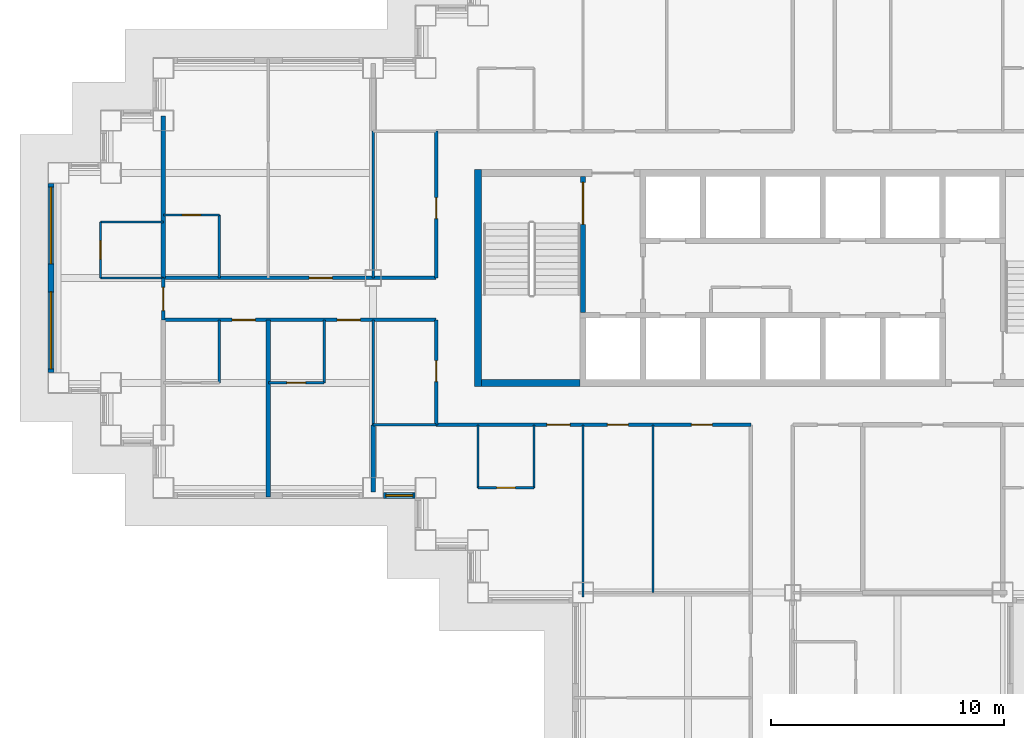
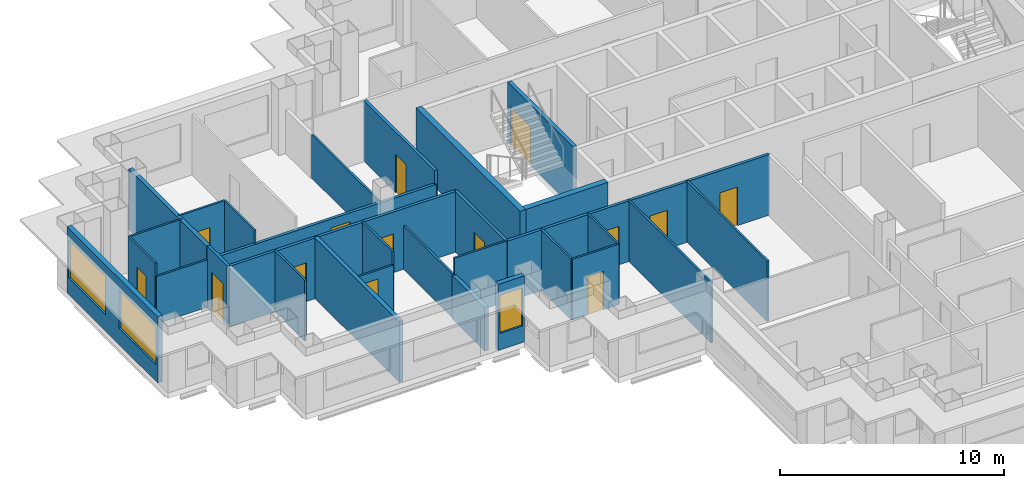
# One storey, part 4 of 15: 30 walls, 14 doors, 3 windows, 17 openings.
"""IFC4 building model written with IfcOpenShell, lengths in metres."""

import ifcopenshell
import ifcopenshell.guid

model = None  # the IFC model being written
_history = None  # IfcOwnerHistory: only IFC2X3 demands one
_inside = {}  # id of a spatial element -> (the spatial element, [elements in it])
_under = {}  # id of a project, library or spatial element -> (it, [spatial elements below it])
_declared = {}  # id of a project -> (the project, [libraries it declares])
_typed = {}  # id of a type object -> (the type object, [elements of that type])
_made_of = {}  # id of a material, layer set ... -> (it, [elements and type objects made of it])


def new_model(schema):
    """Start an empty IFC model of exactly this schema.

    Asked for "IFC4X3", IfcOpenShell would pick the latest addendum, in which some entities
    have other attributes; the version numbers below select the first issue.
    IFC2X3 requires an IfcOwnerHistory on every rooted entity: one is made here for all.
    """
    global model, _history
    if schema == "IFC4X3":
        model = ifcopenshell.file(schema_version=(4, 3, 0, 0))
    else:
        model = ifcopenshell.file(schema=schema)
    _inside.clear()
    _under.clear()
    _declared.clear()
    _typed.clear()
    _made_of.clear()
    _history = None
    if model.schema == "IFC2X3":
        org = make("IfcOrganization", Name="unknown")
        user = make(
            "IfcPersonAndOrganization",
            ThePerson=make("IfcPerson", FamilyName="unknown"),
            TheOrganization=org,
        )
        app = make(
            "IfcApplication",
            ApplicationDeveloper=org,
            Version="unknown",
            ApplicationFullName="unknown",
            ApplicationIdentifier="unknown",
        )
        _history = make(
            "IfcOwnerHistory",
            OwningUser=user,
            OwningApplication=app,
            ChangeAction="ADDED",
            CreationDate=0,
        )
    return model


def make(cls, **values):
    """One entity of the class cls with the attributes given. An attribute that is None is left unset."""
    return model.create_entity(
        cls, **{name: value for name, value in values.items() if value is not None}
    )


def rooted(cls, **values):
    """An entity with a GlobalId (a new one), such as an element, a storey or a relation."""
    return make(cls, GlobalId=ifcopenshell.guid.new(), OwnerHistory=_history, **values)


def si_unit(unit_type, name, prefix=None):
    """IfcSIUnit, for example si_unit("LENGTHUNIT", "METRE", prefix="MILLI")."""
    return make("IfcSIUnit", UnitType=unit_type, Prefix=prefix, Name=name)


def assignment(units):
    """IfcUnitAssignment: the units of a project."""
    return None if units is None else make("IfcUnitAssignment", Units=units)


def point(xyz):
    """IfcCartesianPoint."""
    return None if xyz is None else make("IfcCartesianPoint", Coordinates=xyz)


def direction(xyz):
    """IfcDirection."""
    return None if xyz is None else make("IfcDirection", DirectionRatios=xyz)


def frame(location, z_axis=None, x_axis=None):
    """IfcAxis2Placement3D, a coordinate frame: its origin and axes. An axis left out is left unset."""
    return make(
        "IfcAxis2Placement3D",
        Location=point(location),
        Axis=direction(z_axis),
        RefDirection=direction(x_axis),
    )


def frame_2d(location, x_axis=None):
    """IfcAxis2Placement2D, a coordinate frame in the plane: its origin and x axis."""
    return make(
        "IfcAxis2Placement2D", Location=point(location), RefDirection=direction(x_axis)
    )


def origin():
    """The frame at (0, 0, 0) with its axes left unset."""
    return frame((0.0, 0.0, 0.0))


def place(relative_to, where):
    """IfcLocalPlacement: puts the frame where relative to a parent placement (None: the world)."""
    return make(
        "IfcLocalPlacement", PlacementRelTo=relative_to, RelativePlacement=where
    )


def context(
    kind, dimensions, precision=None, world=None, true_north=None, identifier=None
):
    """IfcGeometricRepresentationContext, for example the 3D "Model" context."""
    return make(
        "IfcGeometricRepresentationContext",
        ContextIdentifier=identifier,
        ContextType=kind,
        CoordinateSpaceDimension=dimensions,
        Precision=precision,
        WorldCoordinateSystem=world,
        TrueNorth=true_north,
    )


def subcontext(parent, identifier, kind, view, scale=None):
    """IfcGeometricRepresentationSubContext, for example "Body" below "Model"."""
    return make(
        "IfcGeometricRepresentationSubContext",
        ContextIdentifier=identifier,
        ContextType=kind,
        ParentContext=parent,
        TargetScale=scale,
        TargetView=view,
    )


def project(units=None, contexts=None):
    """IfcProject with its units and contexts."""
    return rooted(
        "IfcProject",
        Name="project",
        RepresentationContexts=contexts,
        UnitsInContext=assignment(units),
    )


def spatial(cls, under=None, at=None, **own):
    """A site, building, storey or space (cls), placed at a placement, below another one or the project."""
    s = rooted(cls, ObjectPlacement=at, **own)
    if under is not None:
        _under.setdefault(under.id(), (under, []))[1].append(s)
    return s


def profile(cls, at=None, kind="AREA", **sizes):
    """A parametric profile (cls). Its sizes go by their IFC names, for example OverallWidth=200.0."""
    return make(cls, ProfileType=kind, Position=at, **sizes)


def rectangle(**sizes):
    """IfcRectangleProfileDef."""
    return profile("IfcRectangleProfileDef", **sizes)


def extrude(swept, where, along, depth):
    """IfcExtrudedAreaSolid: the profile swept, set in the frame where, extruded along a direction by depth."""
    return make(
        "IfcExtrudedAreaSolid",
        SweptArea=swept,
        Position=where,
        ExtrudedDirection=direction(along),
        Depth=depth,
    )


def shape(context_of_items, identifier, shape_type, items):
    """IfcShapeRepresentation: the items that make up one representation, for example the "Body"."""
    return make(
        "IfcShapeRepresentation",
        ContextOfItems=context_of_items,
        RepresentationIdentifier=identifier,
        RepresentationType=shape_type,
        Items=items,
    )


def material(Name=None, Category=None):
    """IfcMaterial."""
    return make("IfcMaterial", Name=Name, Category=Category)


def layer(
    of_material, thickness, ventilated=None, Name=None, Category=None, Priority=None
):
    """IfcMaterialLayer: one layer of a wall or slab, of a material (None: an air gap)."""
    return make(
        "IfcMaterialLayer",
        Material=of_material,
        LayerThickness=thickness,
        IsVentilated=ventilated,
        Name=Name,
        Category=Category,
        Priority=Priority,
    )


def layer_set(layers, Name=None):
    """IfcMaterialLayerSet."""
    return make("IfcMaterialLayerSet", MaterialLayers=layers, LayerSetName=Name)


def made_of(thing, what):
    """Note that an element or type object is made of a material, layer set ...; save() writes the relation."""
    if what is not None:
        _made_of.setdefault(what.id(), (what, []))[1].append(thing)
    return thing


def type_object(cls, material=None, **own):
    """A type object (cls), such as IfcWallType, which elements share."""
    return made_of(rooted(cls, **own), material)


def element(
    cls,
    number,
    at=None,
    inside=None,
    cuts=None,
    type_object=None,
    material=None,
    context=None,
    identifier="Body",
    shape_type=None,
    held_by="IfcProductDefinitionShape",
    body=None,
    shapes=None,
    **own,
):
    """One element of the class cls, such as IfcWall. Its Tag is "e" and its number.

    at: its placement. inside: the storey or other place that contains it. cuts: it is an
    opening in that element (IfcRelVoidsElement). A single representation is given by context,
    identifier, shape_type and body (its items); several are given by shapes. held_by: the class
    of the entity that holds the representations. save() writes the other relations.
    """
    e = rooted(cls, Tag="e%d" % number, ObjectPlacement=at, **own)
    if body is not None:
        shapes = [shape(context, identifier, shape_type, body)]
    if shapes is not None:
        e.Representation = make(held_by, Representations=shapes)
    if inside is not None:
        _inside.setdefault(inside.id(), (inside, []))[1].append(e)
    if cuts is not None:
        rooted(
            "IfcRelVoidsElement", RelatingBuildingElement=cuts, RelatedOpeningElement=e
        )
    if type_object is not None:
        _typed.setdefault(type_object.id(), (type_object, []))[1].append(e)
    return made_of(e, material)


def fill(opening, filler):
    """IfcRelFillsElement: the door or window that sits in an opening."""
    return rooted(
        "IfcRelFillsElement",
        RelatingOpeningElement=opening,
        RelatedBuildingElement=filler,
    )


def aggregate(whole, parts):
    """IfcRelAggregates: a whole, such as a stair, and the parts it consists of."""
    return rooted("IfcRelAggregates", RelatingObject=whole, RelatedObjects=parts)


def save(model, path):
    """Write the relations noted so far, then the file.

    IfcRelAggregates (storeys below a building ...), IfcRelContainedInSpatialStructure (elements
    in a storey), IfcRelDefinesByType, IfcRelAssociatesMaterial and IfcRelDeclares: one each for
    every whole, place, type object, material and project.
    """
    for whole, parts in _under.values():
        aggregate(whole, parts)
    for where, things in _inside.values():
        rooted(
            "IfcRelContainedInSpatialStructure",
            RelatedElements=things,
            RelatingStructure=where,
        )
    for kind, things in _typed.values():
        rooted("IfcRelDefinesByType", RelatedObjects=things, RelatingType=kind)
    for what, things in _made_of.values():
        rooted("IfcRelAssociatesMaterial", RelatedObjects=things, RelatingMaterial=what)
    for by, libraries in _declared.values():
        rooted("IfcRelDeclares", RelatingContext=by, RelatedDefinitions=libraries)
    model.write(path)


model = new_model("IFC4")

# Units and contexts
model_context = context("Model", 3, precision=1e-05, world=origin(), true_north=direction((0.0, 1.0)))
body_context = subcontext(model_context, "Body", "Model", "MODEL_VIEW")
ifc_project = project(units=[si_unit("LENGTHUNIT", "METRE"), si_unit("AREAUNIT", "SQUARE_METRE"), si_unit("VOLUMEUNIT", "CUBIC_METRE"), si_unit("PLANEANGLEUNIT", "RADIAN"), si_unit("MASSUNIT", "GRAM", prefix="KILO")], contexts=[model_context])

# Site, building, storey
site_placement = place(None, origin())
site = spatial("IfcSite", under=ifc_project, at=site_placement, CompositionType="ELEMENT")
building_placement = place(site_placement, origin())
building = spatial("IfcBuilding", under=site, at=building_placement, Name="Caravel Reach Hotel and Residences", CompositionType="ELEMENT")
storey_placement = place(building_placement, frame((0.0, 0.0, 108.0)))
storey = spatial("IfcBuildingStorey", under=building, at=storey_placement, Name="L26", CompositionType="ELEMENT", Elevation=108.0)

# Wall, opening, door
ifc_material_1 = material(Name="Gypsum board on steel stud", Category="steel")
ifc_layer_1 = layer(ifc_material_1, 0.10009765625)
ifc_layer_set_1 = layer_set([ifc_layer_1], Name="Bathroom pod wall 100 mm")
wall_type_1 = type_object("IfcWallType", Name="Bathroom pod wall 100 mm", PredefinedType="PARTITIONING", material=ifc_layer_set_1)
wall_1_placement = place(storey_placement, frame((18.0, 18.0, 0.0), z_axis=(0.0, 0.0, 1.0), x_axis=(1.0, 0.0, 0.0)))
wall_1 = element("IfcWall", 1, at=wall_1_placement, inside=storey, type_object=wall_type_1, Name="L26 wall w083", PredefinedType="PARTITIONING", context=body_context, shape_type="SweptSolid", body=[
    extrude(rectangle(XDim=2.39990234375, YDim=0.10009765625, at=frame_2d((1.199951171875, 0.0))), origin(), (0.0, 0.0, 1.0), 3.300048828125),
])
opening_1_placement = place(wall_1_placement, frame((0.800048828125, 0.0, 0.0)))
opening_1 = element("IfcOpeningElement", 2, at=opening_1_placement, cuts=wall_1, Name="Opening D26-050", PredefinedType="OPENING", context=body_context, shape_type="SweptSolid", body=[
    extrude(rectangle(XDim=0.800048828125, YDim=2.10009765625, at=frame_2d((0.39990234375, 1.050048828125))), frame((0.0, 0.06005859375, 0.0), z_axis=(0.0, -1.0, 0.0), x_axis=(1.0, 0.0, 0.0)), (0.0, 0.0, 1.0), 0.1201171875),
])
ifc_material_2 = material(Name="Timber and steel door leaf", Category="steel")
door_type_1 = type_object("IfcDoorType", Name="Bathroom door 800 x 2100", OperationType="SINGLE_SWING_LEFT", PredefinedType="DOOR", material=ifc_material_2)
door_1_placement = place(opening_1_placement, origin())
door_1 = element("IfcDoor", 3, at=door_1_placement, inside=storey, type_object=door_type_1, Name="door D26-050", OperationType="SINGLE_SWING_LEFT", OverallHeight=2.10009765625, OverallWidth=0.800048828125, PredefinedType="DOOR", context=body_context, shape_type="SweptSolid", body=[
    extrude(rectangle(XDim=0.800048828125, YDim=2.10009765625, at=frame_2d((0.39990234375, 1.050048828125))), frame((0.0, 0.02490234375, 0.0), z_axis=(0.0, -1.0, 0.0), x_axis=(1.0, 0.0, 0.0)), (0.0, 0.0, 1.0), 0.050048828125),
])
fill(opening_1, door_1)

wall_2_placement = place(storey_placement, frame((9.0, 22.5, 0.0), z_axis=(0.0, 0.0, 1.0), x_axis=(1.0, 0.0, 0.0)))
wall_2 = element("IfcWall", 4, at=wall_2_placement, inside=storey, type_object=wall_type_1, Name="L26 wall w085", PredefinedType="PARTITIONING", context=body_context, shape_type="SweptSolid", body=[
    extrude(rectangle(XDim=2.39990234375, YDim=0.10009765625, at=frame_2d((1.199951171875, 0.0))), origin(), (0.0, 0.0, 1.0), 2.580078125),
])
opening_2_placement = place(wall_2_placement, frame((0.800048828125, 0.0, 0.0)))
opening_2 = element("IfcOpeningElement", 5, at=opening_2_placement, cuts=wall_2, Name="Opening D26-016", PredefinedType="OPENING", context=body_context, shape_type="SweptSolid", body=[
    extrude(rectangle(XDim=0.800048828125, YDim=2.10009765625, at=frame_2d((0.39990234375, 1.050048828125))), frame((0.0, 0.06005859375, 0.0), z_axis=(0.0, -1.0, 0.0), x_axis=(1.0, 0.0, 0.0)), (0.0, 0.0, 1.0), 0.1201171875),
])
door_2_placement = place(opening_2_placement, origin())
door_2 = element("IfcDoor", 6, at=door_2_placement, inside=storey, type_object=door_type_1, Name="door D26-016", OperationType="SINGLE_SWING_RIGHT", OverallHeight=2.10009765625, OverallWidth=0.800048828125, PredefinedType="DOOR", context=body_context, shape_type="SweptSolid", body=[
    extrude(rectangle(XDim=0.800048828125, YDim=2.10009765625, at=frame_2d((0.39990234375, 1.050048828125))), frame((0.0, 0.02490234375, 0.0), z_axis=(0.0, -1.0, 0.0), x_axis=(1.0, 0.0, 0.0)), (0.0, 0.0, 1.0), 0.050048828125),
])
fill(opening_2, door_2)

# Walls
wall_3_placement = place(storey_placement, frame((1.800048828125, 27.0, 0.0), z_axis=(0.0, 0.0, 1.0), x_axis=(1.0, 0.0, 0.0)))
element("IfcWall", 7, at=wall_3_placement, inside=storey, type_object=wall_type_1, Name="L26 wall w088", PredefinedType="PARTITIONING", context=body_context, shape_type="SweptSolid", body=[
    extrude(rectangle(XDim=2.699951171875, YDim=0.10009765625, at=frame_2d((1.35009765625, 0.0))), origin(), (0.0, 0.0, 1.0), 2.580078125),
])
wall_4_placement = place(storey_placement, frame((1.800048828125, 29.39990234375, 0.0), z_axis=(0.0, 0.0, 1.0), x_axis=(1.0, 0.0, 0.0)))
element("IfcWall", 8, at=wall_4_placement, inside=storey, type_object=wall_type_1, Name="L26 wall w089", PredefinedType="PARTITIONING", context=body_context, shape_type="SweptSolid", body=[
    extrude(rectangle(XDim=2.699951171875, YDim=0.10009765625, at=frame_2d((1.35009765625, 0.0))), origin(), (0.0, 0.0, 1.0), 3.300048828125),
])

# Wall, opening, door
wall_5_placement = place(storey_placement, frame((4.5, 29.699951171875, 0.0), z_axis=(0.0, 0.0, 1.0), x_axis=(1.0, 0.0, 0.0)))
wall_5 = element("IfcWall", 9, at=wall_5_placement, inside=storey, type_object=wall_type_1, Name="L26 wall w090", PredefinedType="PARTITIONING", context=body_context, shape_type="SweptSolid", body=[
    extrude(rectangle(XDim=2.39990234375, YDim=0.10009765625, at=frame_2d((1.199951171875, 0.0))), origin(), (0.0, 0.0, 1.0), 3.300048828125),
])
opening_3_placement = place(wall_5_placement, frame((0.800048828125, 0.0, 0.0)))
opening_3 = element("IfcOpeningElement", 10, at=opening_3_placement, cuts=wall_5, Name="Opening D26-021", PredefinedType="OPENING", context=body_context, shape_type="SweptSolid", body=[
    extrude(rectangle(XDim=0.800048828125, YDim=2.10009765625, at=frame_2d((0.39990234375, 1.050048828125))), frame((0.0, 0.06005859375, 0.0), z_axis=(0.0, -1.0, 0.0), x_axis=(1.0, 0.0, 0.0)), (0.0, 0.0, 1.0), 0.1201171875),
])
door_3_placement = place(opening_3_placement, origin())
door_3 = element("IfcDoor", 11, at=door_3_placement, inside=storey, type_object=door_type_1, Name="door D26-021", OperationType="SINGLE_SWING_RIGHT", OverallHeight=2.10009765625, OverallWidth=0.800048828125, PredefinedType="DOOR", context=body_context, shape_type="SweptSolid", body=[
    extrude(rectangle(XDim=0.800048828125, YDim=2.10009765625, at=frame_2d((0.39990234375, 1.050048828125))), frame((0.0, 0.02490234375, 0.0), z_axis=(0.0, -1.0, 0.0), x_axis=(1.0, 0.0, 0.0)), (0.0, 0.0, 1.0), 0.050048828125),
])
fill(opening_3, door_3)

wall_6_placement = place(storey_placement, frame((1.800048828125, 27.0, 0.0), z_axis=(0.0, 0.0, 1.0), x_axis=(0.0, 1.0, 0.0)))
wall_6 = element("IfcWall", 12, at=wall_6_placement, inside=storey, type_object=wall_type_1, Name="L26 wall w098", PredefinedType="PARTITIONING", context=body_context, shape_type="SweptSolid", body=[
    extrude(rectangle(XDim=2.39990234375, YDim=0.10009765625, at=frame_2d((1.199951171875, 0.0))), origin(), (0.0, 0.0, 1.0), 3.300048828125),
])
opening_4_placement = place(wall_6_placement, frame((0.800048828125, 0.0, 0.0)))
opening_4 = element("IfcOpeningElement", 13, at=opening_4_placement, cuts=wall_6, Name="Opening D26-040", PredefinedType="OPENING", context=body_context, shape_type="SweptSolid", body=[
    extrude(rectangle(XDim=0.800048828125, YDim=2.10009765625, at=frame_2d((0.39990234375, 1.050048828125))), frame((0.0, 0.06005859375, 0.0), z_axis=(0.0, -1.0, 0.0), x_axis=(1.0, 0.0, 0.0)), (0.0, 0.0, 1.0), 0.1201171875),
])
door_4_placement = place(opening_4_placement, origin())
door_4 = element("IfcDoor", 14, at=door_4_placement, inside=storey, type_object=door_type_1, Name="door D26-040", OperationType="SINGLE_SWING_RIGHT", OverallHeight=2.10009765625, OverallWidth=0.800048828125, PredefinedType="DOOR", context=body_context, shape_type="SweptSolid", body=[
    extrude(rectangle(XDim=0.800048828125, YDim=2.10009765625, at=frame_2d((0.39990234375, 1.050048828125))), frame((0.0, 0.02490234375, 0.0), z_axis=(0.0, -1.0, 0.0), x_axis=(1.0, 0.0, 0.0)), (0.0, 0.0, 1.0), 0.050048828125),
])
fill(opening_4, door_4)

# Walls
for number, where, z_axis, x_axis, name in (
    (15, (11.39990234375, 22.5, 0.0), (0.0, 0.0, 1.0), (0.0, 1.0, 0.0), "L26 wall w099"),
    (16, (18.0, 18.0, 0.0), (0.0, 0.0, 1.0), (0.0, 1.0, 0.0), "L26 wall w101"),
    (17, (20.39990234375, 18.0, 0.0), (0.0, 0.0, 1.0), (0.0, 1.0, 0.0), "L26 wall w103"),
    (18, (6.89990234375, 22.5, 0.0), (0.0, 0.0, 1.0), (0.0, 1.0, 0.0), "L26 wall w115"),
    (19, (6.89990234375, 27.0, 0.0), (0.0, 0.0, 1.0), (0.0, 1.0, 0.0), "L26 wall w116"),
):
    element("IfcWall", number, at=place(storey_placement, frame(where, z_axis=z_axis, x_axis=x_axis)), inside=storey, type_object=wall_type_1, Name=name, PredefinedType="PARTITIONING", context=body_context, shape_type="SweptSolid", body=[
        extrude(rectangle(XDim=2.699951171875, YDim=0.10009765625, at=frame_2d((1.35009765625, 0.0))), origin(), (0.0, 0.0, 1.0), 3.300048828125),
    ])
ifc_material_3 = material(Name="Concrete C60", Category="concrete")
ifc_layer_2 = layer(ifc_material_3, 0.300048828125)
ifc_layer_set_2 = layer_set([ifc_layer_2], Name="Core wall 300 mm EI 120")
wall_type_2 = type_object("IfcWallType", Name="Core wall 300 mm EI 120", PredefinedType="SHEAR", material=ifc_layer_set_2)
wall_7_placement = place(storey_placement, frame((18.14990234375, 22.5, 0.0), z_axis=(0.0, 0.0, 1.0), x_axis=(1.0, 0.0, 0.0)))
element("IfcWall", 20, at=wall_7_placement, inside=storey, type_object=wall_type_2, Name="L26 core wall S1", PredefinedType="SHEAR", context=body_context, shape_type="SweptSolid", body=[
    extrude(rectangle(XDim=4.22509765625, YDim=0.300048828125, at=frame_2d((2.112548828125, 0.0))), origin(), (0.0, 0.0, 1.0), 3.300048828125),
])
wall_8_placement = place(storey_placement, frame((18.0, 22.35009765625, 0.0), z_axis=(0.0, 0.0, 1.0), x_axis=(0.0, 1.0, 0.0)))
element("IfcWall", 21, at=wall_8_placement, inside=storey, type_object=wall_type_2, Name="L26 core wall W", PredefinedType="SHEAR", context=body_context, shape_type="SweptSolid", body=[
    extrude(rectangle(XDim=9.2998046875, YDim=0.300048828125, at=frame_2d((4.64990234375, 0.0))), origin(), (0.0, 0.0, 1.0), 3.300048828125),
])

# Wall, openings, doors
ifc_material_4 = material(Name="Gypsum board on steel stud, fire-rated", Category="steel")
ifc_layer_3 = layer(ifc_material_4, 0.14990234375)
ifc_layer_set_3 = layer_set([ifc_layer_3], Name="Corridor wall 150 mm EI 60")
wall_type_3 = type_object("IfcWallType", Name="Corridor wall 150 mm EI 60", PredefinedType="PARTITIONING", material=ifc_layer_set_3)
wall_9_placement = place(storey_placement, frame((16.199951171875, 20.699951171875, 0.0), z_axis=(0.0, 0.0, 1.0), x_axis=(1.0, 0.0, 0.0)))
wall_9 = element("IfcWall", 22, at=wall_9_placement, inside=storey, type_object=wall_type_3, Name="L26 wall w001", PredefinedType="PARTITIONING", context=body_context, shape_type="SweptSolid", body=[
    extrude(rectangle(XDim=13.5, YDim=0.14990234375, at=frame_2d((6.75, 0.0))), origin(), (0.0, 0.0, 1.0), 3.300048828125),
])
opening_5_placement = place(wall_9_placement, frame((4.75, 0.0, 0.0)))
opening_5 = element("IfcOpeningElement", 23, at=opening_5_placement, cuts=wall_9, Name="Opening D26-049", PredefinedType="OPENING", context=body_context, shape_type="SweptSolid", body=[
    extrude(rectangle(XDim=1.0, YDim=2.10009765625, at=frame_2d((0.5, 1.050048828125))), frame((0.0, 0.0849609375, 0.0), z_axis=(0.0, -1.0, 0.0), x_axis=(1.0, 0.0, 0.0)), (0.0, 0.0, 1.0), 0.169921875),
])
opening_6_placement = place(wall_9_placement, frame((7.35009765625, 0.0, 0.0)))
opening_6 = element("IfcOpeningElement", 24, at=opening_6_placement, cuts=wall_9, Name="Opening D26-057", PredefinedType="OPENING", context=body_context, shape_type="SweptSolid", body=[
    extrude(rectangle(XDim=0.89990234375, YDim=2.10009765625, at=frame_2d((0.449951171875, 1.050048828125))), frame((0.0, 0.0849609375, 0.0), z_axis=(0.0, -1.0, 0.0), x_axis=(1.0, 0.0, 0.0)), (0.0, 0.0, 1.0), 0.169921875),
])
opening_7_placement = place(wall_9_placement, frame((10.949951171875, 0.0, 0.0)))
opening_7 = element("IfcOpeningElement", 25, at=opening_7_placement, cuts=wall_9, Name="Opening D26-058", PredefinedType="OPENING", context=body_context, shape_type="SweptSolid", body=[
    extrude(rectangle(XDim=0.89990234375, YDim=2.10009765625, at=frame_2d((0.449951171875, 1.050048828125))), frame((0.0, 0.0849609375, 0.0), z_axis=(0.0, -1.0, 0.0), x_axis=(1.0, 0.0, 0.0)), (0.0, 0.0, 1.0), 0.169921875),
])
ifc_material_5 = material(Name="Timber and steel door leaf", Category="steel")
door_type_2 = type_object("IfcDoorType", Name="Door 900 x 2100 timber", OperationType="SINGLE_SWING_LEFT", PredefinedType="DOOR", material=ifc_material_5)
door_5_placement = place(opening_6_placement, origin())
door_5 = element("IfcDoor", 26, at=door_5_placement, inside=storey, type_object=door_type_2, Name="door D26-057", OperationType="SINGLE_SWING_LEFT", OverallHeight=2.10009765625, OverallWidth=0.89990234375, PredefinedType="DOOR", context=body_context, shape_type="SweptSolid", body=[
    extrude(rectangle(XDim=0.89990234375, YDim=2.10009765625, at=frame_2d((0.449951171875, 1.050048828125))), frame((0.0, 0.02490234375, 0.0), z_axis=(0.0, -1.0, 0.0), x_axis=(1.0, 0.0, 0.0)), (0.0, 0.0, 1.0), 0.050048828125),
])
fill(opening_6, door_5)
door_6_placement = place(opening_7_placement, origin())
door_6 = element("IfcDoor", 27, at=door_6_placement, inside=storey, type_object=door_type_2, Name="door D26-058", OperationType="SINGLE_SWING_LEFT", OverallHeight=2.10009765625, OverallWidth=0.89990234375, PredefinedType="DOOR", context=body_context, shape_type="SweptSolid", body=[
    extrude(rectangle(XDim=0.89990234375, YDim=2.10009765625, at=frame_2d((0.449951171875, 1.050048828125))), frame((0.0, 0.02490234375, 0.0), z_axis=(0.0, -1.0, 0.0), x_axis=(1.0, 0.0, 0.0)), (0.0, 0.0, 1.0), 0.050048828125),
])
fill(opening_7, door_6)
ifc_material_6 = material(Name="Steel fire door leaf", Category="steel")
door_type_3 = type_object("IfcDoorType", Name="Guest room door 1000 x 2100 EI 30", OperationType="SINGLE_SWING_LEFT", PredefinedType="DOOR", material=ifc_material_6)
door_7_placement = place(opening_5_placement, origin())
door_7 = element("IfcDoor", 28, at=door_7_placement, inside=storey, type_object=door_type_3, Name="door D26-049", OperationType="SINGLE_SWING_RIGHT", OverallHeight=2.10009765625, OverallWidth=1.0, PredefinedType="DOOR", context=body_context, shape_type="SweptSolid", body=[
    extrude(rectangle(XDim=1.0, YDim=2.10009765625, at=frame_2d((0.5, 1.050048828125))), frame((0.0, 0.02490234375, 0.0), z_axis=(0.0, -1.0, 0.0), x_axis=(1.0, 0.0, 0.0)), (0.0, 0.0, 1.0), 0.050048828125),
])
fill(opening_5, door_7)

wall_10_placement = place(storey_placement, frame((4.5, 25.199951171875, 0.0), z_axis=(0.0, 0.0, 1.0), x_axis=(1.0, 0.0, 0.0)))
wall_10 = element("IfcWall", 29, at=wall_10_placement, inside=storey, type_object=wall_type_3, Name="L26 wall w007", PredefinedType="PARTITIONING", context=body_context, shape_type="SweptSolid", body=[
    extrude(rectangle(XDim=11.699951171875, YDim=0.14990234375, at=frame_2d((5.85009765625, 0.0))), origin(), (0.0, 0.0, 1.0), 3.300048828125),
])
opening_8_placement = place(wall_10_placement, frame((7.449951171875, 0.0, 0.0)))
opening_8 = element("IfcOpeningElement", 30, at=opening_8_placement, cuts=wall_10, Name="Opening D26-015", PredefinedType="OPENING", context=body_context, shape_type="SweptSolid", body=[
    extrude(rectangle(XDim=1.0, YDim=2.10009765625, at=frame_2d((0.5, 1.050048828125))), frame((0.0, 0.0849609375, 0.0), z_axis=(0.0, -1.0, 0.0), x_axis=(1.0, 0.0, 0.0)), (0.0, 0.0, 1.0), 0.169921875),
])
opening_9_placement = place(wall_10_placement, frame((2.949951171875, 0.0, 0.0)))
opening_9 = element("IfcOpeningElement", 31, at=opening_9_placement, cuts=wall_10, Name="Opening D26-017", PredefinedType="OPENING", context=body_context, shape_type="SweptSolid", body=[
    extrude(rectangle(XDim=1.0, YDim=2.10009765625, at=frame_2d((0.5, 1.050048828125))), frame((0.0, 0.0849609375, 0.0), z_axis=(0.0, -1.0, 0.0), x_axis=(1.0, 0.0, 0.0)), (0.0, 0.0, 1.0), 0.169921875),
])
door_8_placement = place(opening_8_placement, origin())
door_8 = element("IfcDoor", 32, at=door_8_placement, inside=storey, type_object=door_type_3, Name="door D26-015", OperationType="SINGLE_SWING_RIGHT", OverallHeight=2.10009765625, OverallWidth=1.0, PredefinedType="DOOR", context=body_context, shape_type="SweptSolid", body=[
    extrude(rectangle(XDim=1.0, YDim=2.10009765625, at=frame_2d((0.5, 1.050048828125))), frame((0.0, 0.02490234375, 0.0), z_axis=(0.0, -1.0, 0.0), x_axis=(1.0, 0.0, 0.0)), (0.0, 0.0, 1.0), 0.050048828125),
])
fill(opening_8, door_8)
door_9_placement = place(opening_9_placement, origin())
door_9 = element("IfcDoor", 33, at=door_9_placement, inside=storey, type_object=door_type_3, Name="door D26-017", OperationType="SINGLE_SWING_RIGHT", OverallHeight=2.10009765625, OverallWidth=1.0, PredefinedType="DOOR", context=body_context, shape_type="SweptSolid", body=[
    extrude(rectangle(XDim=1.0, YDim=2.10009765625, at=frame_2d((0.5, 1.050048828125))), frame((0.0, 0.02490234375, 0.0), z_axis=(0.0, -1.0, 0.0), x_axis=(1.0, 0.0, 0.0)), (0.0, 0.0, 1.0), 0.050048828125),
])
fill(opening_9, door_9)

# Wall, opening, door
wall_11_placement = place(storey_placement, frame((4.5, 27.0, 0.0), z_axis=(0.0, 0.0, 1.0), x_axis=(1.0, 0.0, 0.0)))
wall_11 = element("IfcWall", 34, at=wall_11_placement, inside=storey, type_object=wall_type_3, Name="L26 wall w013", PredefinedType="PARTITIONING", context=body_context, shape_type="SweptSolid", body=[
    extrude(rectangle(XDim=11.699951171875, YDim=0.14990234375, at=frame_2d((5.85009765625, 0.0))), origin(), (0.0, 0.0, 1.0), 2.580078125),
])
opening_10_placement = place(wall_11_placement, frame((6.25, 0.0, 0.0)))
opening_10 = element("IfcOpeningElement", 35, at=opening_10_placement, cuts=wall_11, Name="Opening D26-019", PredefinedType="OPENING", context=body_context, shape_type="SweptSolid", body=[
    extrude(rectangle(XDim=1.0, YDim=2.10009765625, at=frame_2d((0.5, 1.050048828125))), frame((0.0, 0.0849609375, 0.0), z_axis=(0.0, -1.0, 0.0), x_axis=(1.0, 0.0, 0.0)), (0.0, 0.0, 1.0), 0.169921875),
])
door_10_placement = place(opening_10_placement, origin())
door_10 = element("IfcDoor", 36, at=door_10_placement, inside=storey, type_object=door_type_3, Name="door D26-019", OperationType="SINGLE_SWING_RIGHT", OverallHeight=2.10009765625, OverallWidth=1.0, PredefinedType="DOOR", context=body_context, shape_type="SweptSolid", body=[
    extrude(rectangle(XDim=1.0, YDim=2.10009765625, at=frame_2d((0.5, 1.050048828125))), frame((0.0, 0.02490234375, 0.0), z_axis=(0.0, -1.0, 0.0), x_axis=(1.0, 0.0, 0.0)), (0.0, 0.0, 1.0), 0.050048828125),
])
fill(opening_10, door_10)

wall_12_placement = place(storey_placement, frame((16.199951171875, 27.0, 0.0), z_axis=(0.0, 0.0, 1.0), x_axis=(0.0, 1.0, 0.0)))
wall_12 = element("IfcWall", 37, at=wall_12_placement, inside=storey, type_object=wall_type_3, Name="L26 wall w026", PredefinedType="PARTITIONING", context=body_context, shape_type="SweptSolid", body=[
    extrude(rectangle(XDim=6.300048828125, YDim=0.14990234375, at=frame_2d((3.14990234375, 0.0))), origin(), (0.0, 0.0, 1.0), 3.300048828125),
])
opening_11_placement = place(wall_12_placement, frame((2.550048828125, 0.0, 0.0)))
opening_11 = element("IfcOpeningElement", 38, at=opening_11_placement, cuts=wall_12, Name="Opening D26-062", PredefinedType="OPENING", context=body_context, shape_type="SweptSolid", body=[
    extrude(rectangle(XDim=0.89990234375, YDim=2.10009765625, at=frame_2d((0.449951171875, 1.050048828125))), frame((0.0, 0.0849609375, 0.0), z_axis=(0.0, -1.0, 0.0), x_axis=(1.0, 0.0, 0.0)), (0.0, 0.0, 1.0), 0.169921875),
])
door_11_placement = place(opening_11_placement, origin())
door_11 = element("IfcDoor", 39, at=door_11_placement, inside=storey, type_object=door_type_2, Name="door D26-062", OperationType="SINGLE_SWING_LEFT", OverallHeight=2.10009765625, OverallWidth=0.89990234375, PredefinedType="DOOR", context=body_context, shape_type="SweptSolid", body=[
    extrude(rectangle(XDim=0.89990234375, YDim=2.10009765625, at=frame_2d((0.449951171875, 1.050048828125))), frame((0.0, 0.02490234375, 0.0), z_axis=(0.0, -1.0, 0.0), x_axis=(1.0, 0.0, 0.0)), (0.0, 0.0, 1.0), 0.050048828125),
])
fill(opening_11, door_11)

wall_13_placement = place(storey_placement, frame((16.199951171875, 20.699951171875, 0.0), z_axis=(0.0, 0.0, 1.0), x_axis=(0.0, 1.0, 0.0)))
wall_13 = element("IfcWall", 40, at=wall_13_placement, inside=storey, type_object=wall_type_3, Name="L26 wall w027", PredefinedType="PARTITIONING", context=body_context, shape_type="SweptSolid", body=[
    extrude(rectangle(XDim=4.5, YDim=0.14990234375, at=frame_2d((2.25, 0.0))), origin(), (0.0, 0.0, 1.0), 3.300048828125),
])
opening_12_placement = place(wall_13_placement, frame((1.85009765625, 0.0, 0.0)))
opening_12 = element("IfcOpeningElement", 41, at=opening_12_placement, cuts=wall_13, Name="Opening D26-061", PredefinedType="OPENING", context=body_context, shape_type="SweptSolid", body=[
    extrude(rectangle(XDim=0.89990234375, YDim=2.10009765625, at=frame_2d((0.449951171875, 1.050048828125))), frame((0.0, 0.0849609375, 0.0), z_axis=(0.0, -1.0, 0.0), x_axis=(1.0, 0.0, 0.0)), (0.0, 0.0, 1.0), 0.169921875),
])
door_12_placement = place(opening_12_placement, origin())
door_12 = element("IfcDoor", 42, at=door_12_placement, inside=storey, type_object=door_type_2, Name="door D26-061", OperationType="SINGLE_SWING_RIGHT", OverallHeight=2.10009765625, OverallWidth=0.89990234375, PredefinedType="DOOR", context=body_context, shape_type="SweptSolid", body=[
    extrude(rectangle(XDim=0.89990234375, YDim=2.10009765625, at=frame_2d((0.449951171875, 1.050048828125))), frame((0.0, 0.02490234375, 0.0), z_axis=(0.0, -1.0, 0.0), x_axis=(1.0, 0.0, 0.0)), (0.0, 0.0, 1.0), 0.050048828125),
])
fill(opening_12, door_12)

wall_14_placement = place(storey_placement, frame((4.5, 25.199951171875, 0.0), z_axis=(0.0, 0.0, 1.0), x_axis=(0.0, 1.0, 0.0)))
wall_14 = element("IfcWall", 43, at=wall_14_placement, inside=storey, type_object=wall_type_3, Name="L26 wall w038", PredefinedType="PARTITIONING", context=body_context, shape_type="SweptSolid", body=[
    extrude(rectangle(XDim=1.800048828125, YDim=0.14990234375, at=frame_2d((0.89990234375, 0.0))), origin(), (0.0, 0.0, 1.0), 3.300048828125),
])
opening_13_placement = place(wall_14_placement, frame((0.39990234375, 0.0, 0.0)))
opening_13 = element("IfcOpeningElement", 44, at=opening_13_placement, cuts=wall_14, Name="Opening D26-039", PredefinedType="OPENING", context=body_context, shape_type="SweptSolid", body=[
    extrude(rectangle(XDim=1.0, YDim=2.10009765625, at=frame_2d((0.5, 1.050048828125))), frame((0.0, 0.0849609375, 0.0), z_axis=(0.0, -1.0, 0.0), x_axis=(1.0, 0.0, 0.0)), (0.0, 0.0, 1.0), 0.169921875),
])
door_13_placement = place(opening_13_placement, origin())
door_13 = element("IfcDoor", 45, at=door_13_placement, inside=storey, type_object=door_type_3, Name="door D26-039", OperationType="SINGLE_SWING_LEFT", OverallHeight=2.10009765625, OverallWidth=1.0, PredefinedType="DOOR", context=body_context, shape_type="SweptSolid", body=[
    extrude(rectangle(XDim=1.0, YDim=2.10009765625, at=frame_2d((0.5, 1.050048828125))), frame((0.0, 0.02490234375, 0.0), z_axis=(0.0, -1.0, 0.0), x_axis=(1.0, 0.0, 0.0)), (0.0, 0.0, 1.0), 0.050048828125),
])
fill(opening_13, door_13)

# Wall, openings, windows
ifc_material_7 = material(Name="Insulated rainscreen wall, aluminium cladding", Category="aluminium")
ifc_layer_4 = layer(ifc_material_7, 0.25)
ifc_layer_set_4 = layer_set([ifc_layer_4], Name="EW1 Tower rainscreen wall")
wall_type_4 = type_object("IfcWallType", Name="EW1 Tower rainscreen wall", PredefinedType="SOLIDWALL", material=ifc_layer_set_4)
wall_15_placement = place(storey_placement, frame((-0.324951171875, 31.050048828125, 0.0), z_axis=(0.0, 0.0, 1.0), x_axis=(0.0, -1.0, 0.0)))
wall_15 = element("IfcWall", 46, at=wall_15_placement, inside=storey, type_object=wall_type_4, Name="External wall L26 W50.1", PredefinedType="SOLIDWALL", context=body_context, shape_type="SweptSolid", body=[
    extrude(rectangle(XDim=8.10009765625, YDim=0.25, at=frame_2d((4.050048828125, 0.0))), origin(), (0.0, 0.0, 1.0), 3.60009765625),
])
opening_14_placement = place(wall_15_placement, frame((0.14990234375, 0.0, 0.89990234375)))
opening_14 = element("IfcOpeningElement", 47, at=opening_14_placement, cuts=wall_15, Name="Opening WN4", PredefinedType="OPENING", context=body_context, shape_type="SweptSolid", body=[
    extrude(rectangle(XDim=3.300048828125, YDim=2.080078125, at=frame_2d((1.64990234375, 1.0400390625))), frame((0.0, 0.135009765625, 0.0), z_axis=(0.0, -1.0, 0.0), x_axis=(1.0, 0.0, 0.0)), (0.0, 0.0, 1.0), 0.27001953125),
])
opening_15_placement = place(wall_15_placement, frame((4.64990234375, 0.0, 0.89990234375)))
opening_15 = element("IfcOpeningElement", 48, at=opening_15_placement, cuts=wall_15, Name="Opening WN4", PredefinedType="OPENING", context=body_context, shape_type="SweptSolid", body=[
    extrude(rectangle(XDim=3.300048828125, YDim=2.080078125, at=frame_2d((1.64990234375, 1.0400390625))), frame((0.0, 0.135009765625, 0.0), z_axis=(0.0, -1.0, 0.0), x_axis=(1.0, 0.0, 0.0)), (0.0, 0.0, 1.0), 0.27001953125),
])
ifc_material_8 = material(Name="Dark low-e glazing in black aluminium frame", Category="aluminium")
window_type_1 = type_object("IfcWindowType", Name="Hotel guest room window 3300 x 2080", PartitioningType="SINGLE_PANEL", PredefinedType="WINDOW", material=ifc_material_8)
window_1_placement = place(opening_14_placement, origin())
window_1 = element("IfcWindow", 49, at=window_1_placement, inside=storey, type_object=window_type_1, Name="Window L26 W50.1.1", OverallHeight=2.080078125, OverallWidth=3.300048828125, PartitioningType="SINGLE_PANEL", PredefinedType="WINDOW", context=body_context, shape_type="SweptSolid", body=[
    extrude(rectangle(XDim=3.300048828125, YDim=2.080078125, at=frame_2d((1.64990234375, 1.0400390625))), frame((0.0, 0.030029296875, 0.0), z_axis=(0.0, -1.0, 0.0), x_axis=(1.0, 0.0, 0.0)), (0.0, 0.0, 1.0), 0.06005859375),
])
fill(opening_14, window_1)
window_2_placement = place(opening_15_placement, origin())
window_2 = element("IfcWindow", 50, at=window_2_placement, inside=storey, type_object=window_type_1, Name="Window L26 W50.1.2", OverallHeight=2.080078125, OverallWidth=3.300048828125, PartitioningType="SINGLE_PANEL", PredefinedType="WINDOW", context=body_context, shape_type="SweptSolid", body=[
    extrude(rectangle(XDim=3.300048828125, YDim=2.080078125, at=frame_2d((1.64990234375, 1.0400390625))), frame((0.0, 0.030029296875, 0.0), z_axis=(0.0, -1.0, 0.0), x_axis=(1.0, 0.0, 0.0)), (0.0, 0.0, 1.0), 0.06005859375),
])
fill(opening_15, window_2)

# Wall, opening, window
wall_16_placement = place(storey_placement, frame((13.949951171875, 17.675048828125, 0.0), z_axis=(0.0, 0.0, 1.0), x_axis=(1.0, 0.0, 0.0)))
wall_16 = element("IfcWall", 51, at=wall_16_placement, inside=storey, type_object=wall_type_4, Name="External wall L26 S55.2", PredefinedType="SOLIDWALL", context=body_context, shape_type="SweptSolid", body=[
    extrude(rectangle(XDim=1.35009765625, YDim=0.25, at=frame_2d((0.675048828125, 0.0))), origin(), (0.0, 0.0, 1.0), 3.60009765625),
])
opening_16_placement = place(wall_16_placement, frame((0.10009765625, 0.0, 0.89990234375)))
opening_16 = element("IfcOpeningElement", 52, at=opening_16_placement, cuts=wall_16, Name="Opening WN8", PredefinedType="OPENING", context=body_context, shape_type="SweptSolid", body=[
    extrude(rectangle(XDim=1.14990234375, YDim=2.080078125, at=frame_2d((0.574951171875, 1.0400390625))), frame((0.0, 0.135009765625, 0.0), z_axis=(0.0, -1.0, 0.0), x_axis=(1.0, 0.0, 0.0)), (0.0, 0.0, 1.0), 0.27001953125),
])
ifc_material_9 = material(Name="Dark low-e glazing in black aluminium frame", Category="aluminium")
window_type_2 = type_object("IfcWindowType", Name="Hotel suite corner window 1150 x 2080", PartitioningType="SINGLE_PANEL", PredefinedType="WINDOW", material=ifc_material_9)
window_3_placement = place(opening_16_placement, origin())
window_3 = element("IfcWindow", 53, at=window_3_placement, inside=storey, type_object=window_type_2, Name="Window L26 S55.2.1", OverallHeight=2.080078125, OverallWidth=1.14990234375, PartitioningType="SINGLE_PANEL", PredefinedType="WINDOW", context=body_context, shape_type="SweptSolid", body=[
    extrude(rectangle(XDim=1.14990234375, YDim=2.080078125, at=frame_2d((0.574951171875, 1.0400390625))), frame((0.0, 0.030029296875, 0.0), z_axis=(0.0, -1.0, 0.0), x_axis=(1.0, 0.0, 0.0)), (0.0, 0.0, 1.0), 0.06005859375),
])
fill(opening_16, window_3)

# Walls
ifc_material_10 = material(Name="Gypsum board on steel stud", Category="steel")
ifc_layer_5 = layer(ifc_material_10, 0.10009765625)
ifc_layer_set_5 = layer_set([ifc_layer_5], Name="Partition 100 mm")
wall_type_5 = type_object("IfcWallType", Name="Partition 100 mm", PredefinedType="PARTITIONING", material=ifc_layer_set_5)
wall_17_placement = place(storey_placement, frame((13.5, 20.699951171875, 0.0), z_axis=(0.0, 0.0, 1.0), x_axis=(1.0, 0.0, 0.0)))
element("IfcWall", 54, at=wall_17_placement, inside=storey, type_object=wall_type_5, Name="L26 wall w045", PredefinedType="PARTITIONING", context=body_context, shape_type="SweptSolid", body=[
    extrude(rectangle(XDim=2.699951171875, YDim=0.10009765625, at=frame_2d((1.35009765625, 0.0))), origin(), (0.0, 0.0, 1.0), 3.300048828125),
])
wall_18_placement = place(storey_placement, frame((13.5, 20.699951171875, 0.0), z_axis=(0.0, 0.0, 1.0), x_axis=(0.0, 1.0, 0.0)))
element("IfcWall", 55, at=wall_18_placement, inside=storey, type_object=wall_type_5, Name="L26 wall w056", PredefinedType="PARTITIONING", context=body_context, shape_type="SweptSolid", body=[
    extrude(rectangle(XDim=4.5, YDim=0.10009765625, at=frame_2d((2.25, 0.0))), origin(), (0.0, 0.0, 1.0), 2.3798828125),
])
wall_19_placement = place(storey_placement, frame((13.5, 27.0, 0.0), z_axis=(0.0, 0.0, 1.0), x_axis=(0.0, 1.0, 0.0)))
element("IfcWall", 56, at=wall_19_placement, inside=storey, type_object=wall_type_5, Name="L26 wall w057", PredefinedType="PARTITIONING", context=body_context, shape_type="SweptSolid", body=[
    extrude(rectangle(XDim=6.300048828125, YDim=0.10009765625, at=frame_2d((3.14990234375, 0.0))), origin(), (0.0, 0.0, 1.0), 2.3798828125),
])
wall_20_placement = place(storey_placement, frame((22.5, 13.31005859375, 0.0), z_axis=(0.0, 0.0, 1.0), x_axis=(0.0, 1.0, 0.0)))
element("IfcWall", 57, at=wall_20_placement, inside=storey, type_object=wall_type_5, Name="L26 wall w059", PredefinedType="PARTITIONING", context=body_context, shape_type="SweptSolid", body=[
    extrude(rectangle(XDim=7.389892578125, YDim=0.10009765625, at=frame_2d((3.69482421875, 0.0))), origin(), (0.0, 0.0, 1.0), 3.300048828125),
])
wall_21_placement = place(storey_placement, frame((25.5, 13.5, 0.0), z_axis=(0.0, 0.0, 1.0), x_axis=(0.0, 1.0, 0.0)))
element("IfcWall", 58, at=wall_21_placement, inside=storey, type_object=wall_type_5, Name="L26 wall w060", PredefinedType="PARTITIONING", context=body_context, shape_type="SweptSolid", body=[
    extrude(rectangle(XDim=7.199951171875, YDim=0.10009765625, at=frame_2d((3.60009765625, 0.0))), origin(), (0.0, 0.0, 1.0), 3.300048828125),
])
ifc_material_11 = material(Name="Autoclaved aerated block wall")
ifc_layer_6 = layer(ifc_material_11, 0.199951171875)
ifc_layer_set_6 = layer_set([ifc_layer_6], Name="Party wall 200 mm EI 60")
wall_type_6 = type_object("IfcWallType", Name="Party wall 200 mm EI 60", PredefinedType="PARTITIONING", material=ifc_layer_set_6)
wall_22_placement = place(storey_placement, frame((13.5, 17.81005859375, 0.0), z_axis=(0.0, 0.0, 1.0), x_axis=(0.0, 1.0, 0.0)))
element("IfcWall", 59, at=wall_22_placement, inside=storey, type_object=wall_type_6, Name="L26 wall w074", PredefinedType="PARTITIONING", context=body_context, shape_type="SweptSolid", body=[
    extrude(rectangle(XDim=2.889892578125, YDim=0.199951171875, at=frame_2d((1.44482421875, 0.0))), origin(), (0.0, 0.0, 1.0), 2.3798828125),
])
wall_23_placement = place(storey_placement, frame((4.5, 27.0, 0.0), z_axis=(0.0, 0.0, 1.0), x_axis=(0.0, 1.0, 0.0)))
element("IfcWall", 60, at=wall_23_placement, inside=storey, type_object=wall_type_6, Name="L26 wall w077", PredefinedType="PARTITIONING", context=body_context, shape_type="SweptSolid", body=[
    extrude(rectangle(XDim=6.93994140625, YDim=0.199951171875, at=frame_2d((3.469970703125, 0.0))), origin(), (0.0, 0.0, 1.0), 3.300048828125),
])
wall_24_placement = place(storey_placement, frame((9.0, 17.610107421875, 0.0), z_axis=(0.0, 0.0, 1.0), x_axis=(0.0, 1.0, 0.0)))
element("IfcWall", 61, at=wall_24_placement, inside=storey, type_object=wall_type_6, Name="L26 wall w080", PredefinedType="PARTITIONING", context=body_context, shape_type="SweptSolid", body=[
    extrude(rectangle(XDim=7.58984375, YDim=0.199951171875, at=frame_2d((3.794921875, 0.0))), origin(), (0.0, 0.0, 1.0), 3.300048828125),
])

# Wall, opening, door
ifc_material_12 = material(Name="Concrete C60", Category="concrete")
ifc_layer_7 = layer(ifc_material_12, 0.199951171875)
ifc_layer_set_7 = layer_set([ifc_layer_7], Name="Stair enclosure wall 200 mm EI 120")
wall_type_7 = type_object("IfcWallType", Name="Stair enclosure wall 200 mm EI 120", PredefinedType="SHEAR", material=ifc_layer_set_7)
wall_25_placement = place(storey_placement, frame((22.5, 31.35009765625, 0.0), z_axis=(0.0, 0.0, 1.0), x_axis=(0.0, -1.0, 0.0)))
wall_25 = element("IfcWall", 62, at=wall_25_placement, inside=storey, type_object=wall_type_7, Name="L26 stair A wall", PredefinedType="SHEAR", context=body_context, shape_type="SweptSolid", body=[
    extrude(rectangle(XDim=5.8251953125, YDim=0.199951171875, at=frame_2d((2.91259765625, 0.0))), origin(), (0.0, 0.0, 1.0), 3.300048828125),
])
opening_17_placement = place(wall_25_placement, frame((0.25, 0.0, 0.0)))
opening_17 = element("IfcOpeningElement", 63, at=opening_17_placement, cuts=wall_25, Name="Opening D26-009", PredefinedType="OPENING", context=body_context, shape_type="SweptSolid", body=[
    extrude(rectangle(XDim=1.800048828125, YDim=2.10009765625, at=frame_2d((0.89990234375, 1.050048828125))), frame((0.0, 0.10986328125, 0.0), z_axis=(0.0, -1.0, 0.0), x_axis=(1.0, 0.0, 0.0)), (0.0, 0.0, 1.0), 0.219970703125),
])
ifc_material_13 = material(Name="Steel fire door leaf", Category="steel")
door_type_4 = type_object("IfcDoorType", Name="Stair door pair 1800 x 2100 EI 90", OperationType="DOUBLE_DOOR_SINGLE_SWING", PredefinedType="DOOR", material=ifc_material_13)
door_14_placement = place(opening_17_placement, origin())
door_14 = element("IfcDoor", 64, at=door_14_placement, inside=storey, type_object=door_type_4, Name="stair A door pair", OperationType="DOUBLE_DOOR_SINGLE_SWING", OverallHeight=2.10009765625, OverallWidth=1.800048828125, PredefinedType="DOOR", context=body_context, shape_type="SweptSolid", body=[
    extrude(rectangle(XDim=1.800048828125, YDim=2.10009765625, at=frame_2d((0.89990234375, 1.050048828125))), frame((0.0, 0.02490234375, 0.0), z_axis=(0.0, -1.0, 0.0), x_axis=(1.0, 0.0, 0.0)), (0.0, 0.0, 1.0), 0.050048828125),
])
fill(opening_17, door_14)

save(model, "model.ifc")
